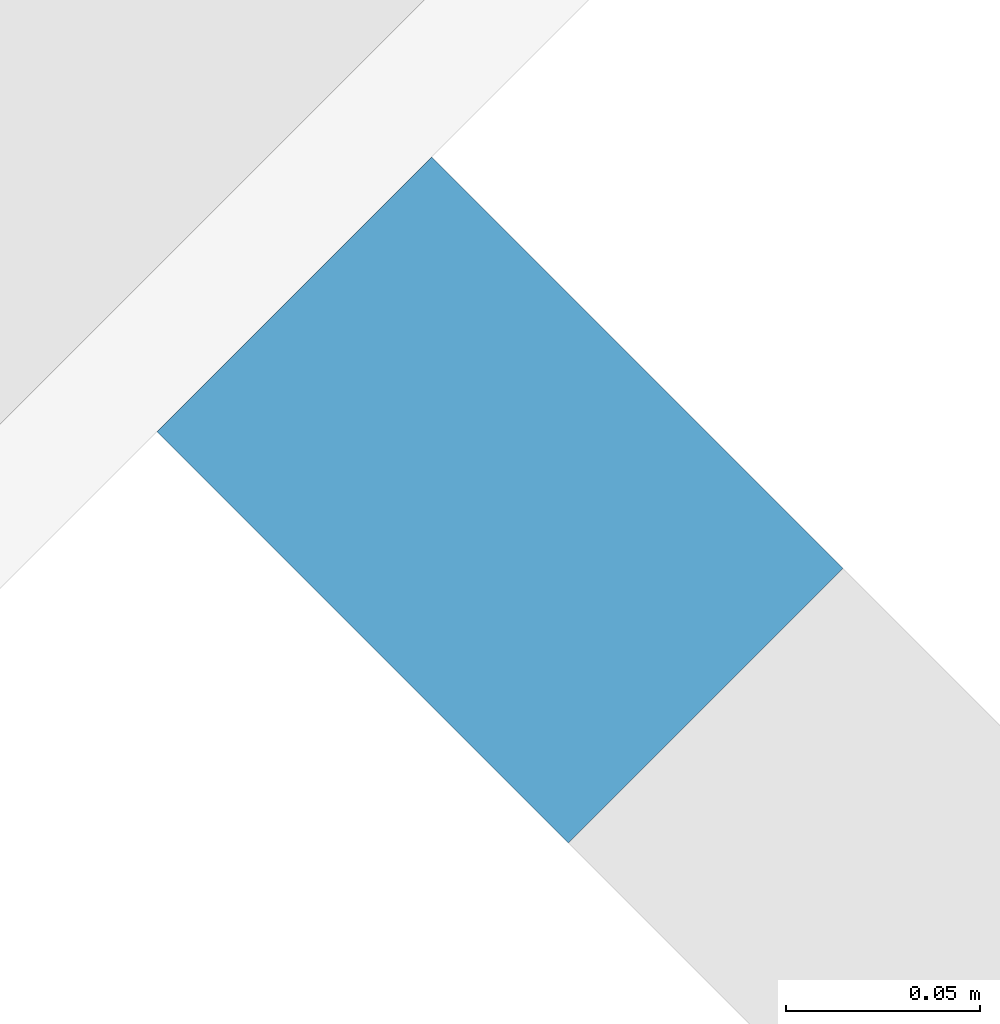
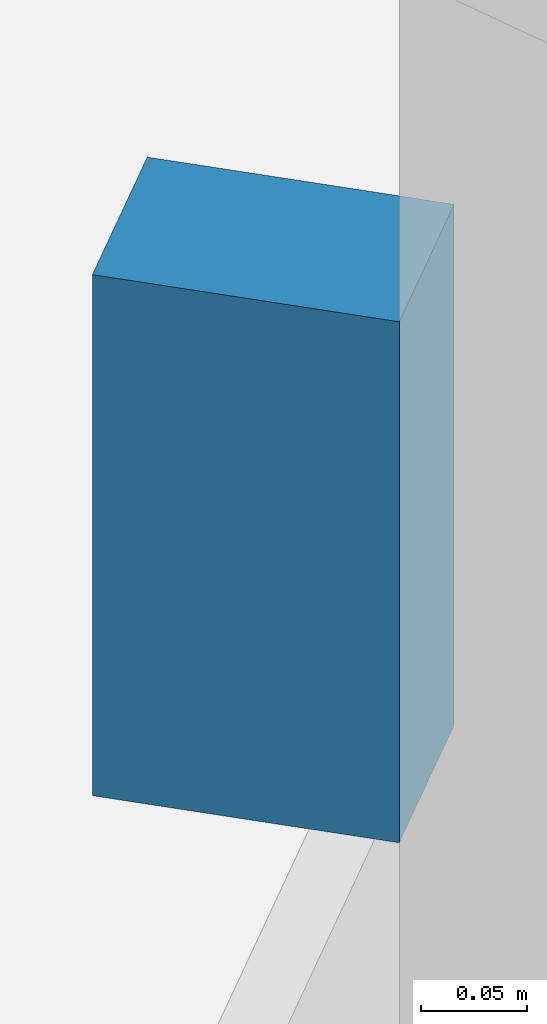
# One storey, part 11 of 32: 1 discrete accessory.
"""IFC4 building model written with IfcOpenShell, lengths in metres."""

from ifc_helpers import new_model, si_unit, direction, frame, origin, origin_2d, place, context, subcontext, project, spatial, rectangle, extrude, material, type_object, element, save


model = new_model("IFC4")

# Units and contexts
model_context = context("Model", 3, precision=1e-05, world=origin(), true_north=direction((0.0, 1.0)))
body_context = subcontext(model_context, "Body", "Model", "MODEL_VIEW")
ifc_project = project(units=[si_unit("LENGTHUNIT", "METRE"), si_unit("AREAUNIT", "SQUARE_METRE"), si_unit("VOLUMEUNIT", "CUBIC_METRE"), si_unit("PLANEANGLEUNIT", "RADIAN"), si_unit("MASSUNIT", "GRAM", prefix="KILO")], contexts=[model_context])

# Site, building, storey
site_placement = place(None, origin())
site = spatial("IfcSite", under=ifc_project, at=site_placement, CompositionType="ELEMENT")
building_placement = place(site_placement, origin())
building = spatial("IfcBuilding", under=site, at=building_placement, Name="Qamariyya Broadcast Tower", CompositionType="ELEMENT")
storey_placement = place(building_placement, frame((0.0, 0.0, 70.89990234375)))
storey = spatial("IfcBuildingStorey", under=building, at=storey_placement, Name="L14", CompositionType="ELEMENT", Elevation=70.89990234375)

# Discrete accessory
ifc_material = material(Name="Stainless steel 316", Category="steel")
discrete_accessory_type = type_object("IfcDiscreteAccessoryType", Name="Slab edge fixing angle, stainless steel", PredefinedType="BRACKET", material=ifc_material)
discrete_accessory_placement = place(storey_placement, frame((59.01611328125, -53.49072265625, 3.30029296875), z_axis=(0.0, 0.0, 1.0), x_axis=(0.707106781187, 0.707106781187, 0.0)))
element("IfcDiscreteAccessory", 1, at=discrete_accessory_placement, inside=storey, type_object=discrete_accessory_type, Name="e-br-L14-14-0", PredefinedType="BRACKET", context=body_context, shape_type="SweptSolid", body=[
    extrude(rectangle(XDim=0.10009765625, YDim=0.14990234375, at=origin_2d()), origin(), (0.0, 0.0, 1.0), 0.300048828125),
])

save(model, "model.ifc")
